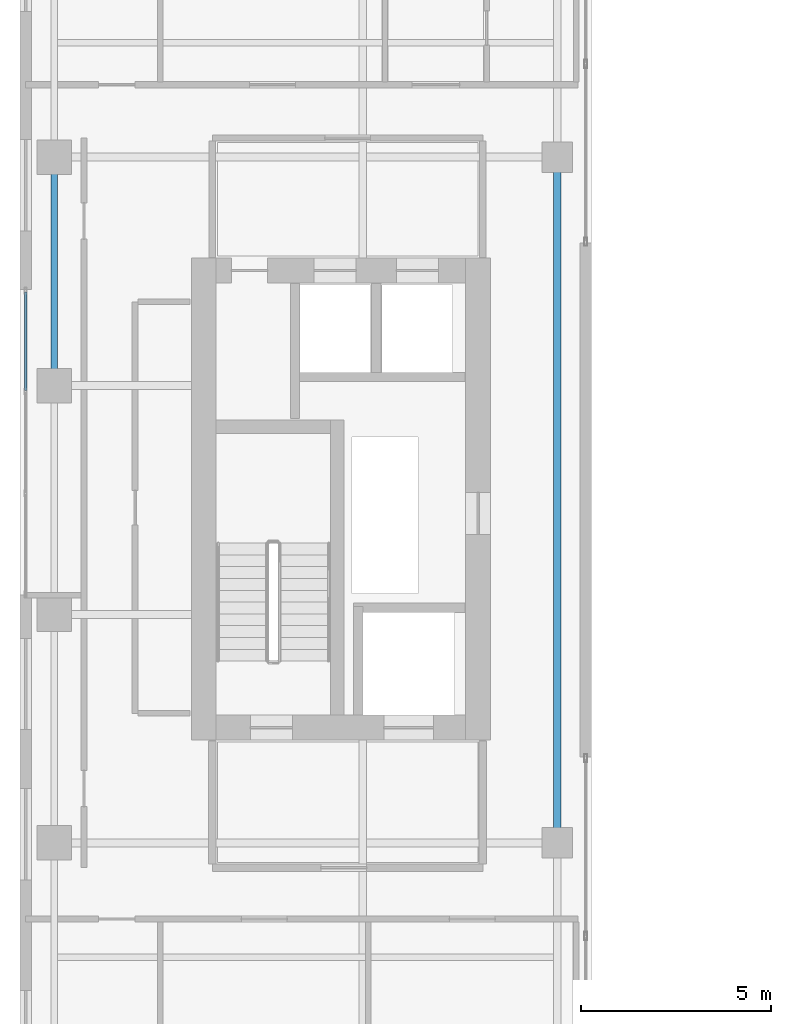
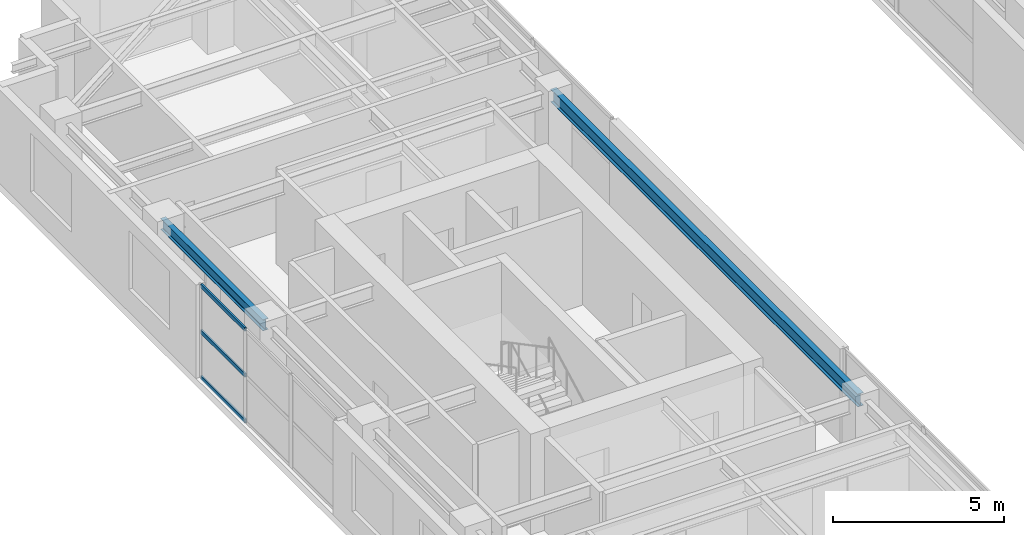
# One storey, part 6 of 22: 3 members, 2 beams, 1 element without a shape of its own.
"""IFC4 building model written with IfcOpenShell, lengths in metres."""

from ifc_helpers import new_model, si_unit, direction, frame, origin, origin_2d, place, context, subcontext, project, spatial, hollow_rectangle, i_section, extrude, source, transform, mapped, material, layer, layer_set, material_profile, profile_set, type_object, element, aggregate, save


model = new_model("IFC4")

# Units and contexts
model_context = context("Model", 3, precision=1e-05, world=origin(), true_north=direction((0.0, 1.0)))
body_context = subcontext(model_context, "Body", "Model", "MODEL_VIEW")
ifc_project = project(units=[si_unit("LENGTHUNIT", "METRE"), si_unit("AREAUNIT", "SQUARE_METRE"), si_unit("VOLUMEUNIT", "CUBIC_METRE"), si_unit("PLANEANGLEUNIT", "RADIAN"), si_unit("MASSUNIT", "GRAM", prefix="KILO")], contexts=[model_context])

# Site, building, storey
site_placement = place(None, origin())
site = spatial("IfcSite", under=ifc_project, at=site_placement, CompositionType="ELEMENT")
building_placement = place(site_placement, origin())
building = spatial("IfcBuilding", under=site, at=building_placement, Name="Khoralis Quay Care Tower", CompositionType="ELEMENT")
storey_placement = place(building_placement, frame((0.0, 0.0, 184.5)))
storey = spatial("IfcBuildingStorey", under=building, at=storey_placement, Name="L48", CompositionType="ELEMENT", Elevation=184.5)

# Beams
ifc_material_1 = material(Name="Steel S355", Category="steel")
ifc_material_profile_1 = material_profile(ifc_material_1, i_section(OverallWidth=0.179931640625, OverallDepth=0.39990234375, WebThickness=0.008544921875, FlangeThickness=0.013427734375, FilletRadius=0.02099609375, at=origin_2d()), Name="Steel S355")
ifc_profile_set_1 = profile_set([ifc_material_profile_1], Name="Steel S355")
beam_type_1 = type_object("IfcBeamType", Name="BM-IPE400", PredefinedType="SPANDREL", material=ifc_profile_set_1)
shared_shape_1 = source(origin(), body_context, "Body", "SweptSolid", [
    extrude(i_section(OverallWidth=0.179931640625, OverallDepth=0.39990234375, WebThickness=0.008544921875, FlangeThickness=0.013427734375, FilletRadius=0.02099609375, at=origin_2d()), origin(), (0.0, 0.0, 1.0), 6.0),
])
beam_1_placement = place(storey_placement, frame((3.89990234375, 24.0, 3.139892578125), z_axis=(0.0, 1.0, 0.0), x_axis=(-1.0, 0.0, 0.0)))
element("IfcBeam", 1, at=beam_1_placement, inside=storey, type_object=beam_type_1, Name="BM-TSP-L48-08", PredefinedType="SPANDREL", context=body_context, shape_type="MappedRepresentation", body=[
    mapped(shared_shape_1, transform((0.0, 0.0, 0.0), scale=1.0)),
])
ifc_material_profile_2 = material_profile(ifc_material_1, i_section(OverallWidth=0.19189453125, OverallDepth=0.462890625, WebThickness=0.010498046875, FlangeThickness=0.017578125, FilletRadius=0.014892578125, at=origin_2d()), Name="Steel S355")
ifc_profile_set_2 = profile_set([ifc_material_profile_2], Name="Steel S355")
beam_type_2 = type_object("IfcBeamType", Name="BM-W460X89", PredefinedType="BEAM", material=ifc_profile_set_2)
shared_shape_2 = source(origin(), body_context, "Body", "SweptSolid", [
    extrude(i_section(OverallWidth=0.19189453125, OverallDepth=0.462890625, WebThickness=0.010498046875, FlangeThickness=0.017578125, FilletRadius=0.014892578125, at=origin_2d()), origin(), (0.0, 0.0, 1.0), 18.0),
])
beam_2_placement = place(storey_placement, frame((17.10009765625, 12.0, 3.1083984375), z_axis=(0.0, 1.0, 0.0), x_axis=(-1.0, 0.0, 0.0)))
element("IfcBeam", 2, at=beam_2_placement, inside=storey, type_object=beam_type_2, Name="BM-TGSW-L48", PredefinedType="BEAM", context=body_context, shape_type="MappedRepresentation", body=[
    mapped(shared_shape_2, transform((0.0, 0.0, 0.0), scale=1.0)),
])

# Curtain wall, members
ifc_material_2 = material(Name="Pale anodised aluminium", Category="aluminium")
ifc_layer = layer(ifc_material_2, 0.159912109375)
ifc_layer_set = layer_set([ifc_layer], Name="Pale anodised aluminium")
curtain_wall_type = type_object("IfcCurtainWallType", Name="CW-SYS-Z3", PredefinedType="NOTDEFINED", material=ifc_layer_set)
curtain_wall_placement = place(storey_placement, origin())
curtain_wall = element("IfcCurtainWall", 3, at=curtain_wall_placement, inside=storey, type_object=curtain_wall_type, Name="L48 Unitised Curtain Wall CW-L48-P1-E7", PredefinedType="NOTDEFINED")
ifc_material_profile_3 = material_profile(ifc_material_2, hollow_rectangle(XDim=0.06005859375, YDim=0.139892578125, WallThickness=0.00390625, at=origin_2d()), Name="Pale anodised aluminium")
ifc_profile_set_3 = profile_set([ifc_material_profile_3], Name="Pale anodised aluminium")
member_type = type_object("IfcMemberType", Name="CW-TRN-140", PredefinedType="USERDEFINED", material=ifc_profile_set_3)
shared_shape_3 = source(origin(), body_context, "Body", "SweptSolid", [
    extrude(hollow_rectangle(XDim=0.06005859375, YDim=0.139892578125, WallThickness=0.00390625, at=origin_2d()), origin(), (0.0, 0.0, 1.0), 2.583251953125),
])
member_1_placement = place(storey_placement, frame((3.14990234375, 26.4599609375, 0.030029296875), z_axis=(0.0, -1.0, 0.0), x_axis=(1.0, 0.0, 0.0)))
member_1 = element("IfcMember", 4, at=member_1_placement, type_object=member_type, Name="CW3 transom 1.1", ObjectType="TRANSOM", PredefinedType="USERDEFINED", context=body_context, shape_type="MappedRepresentation", body=[
    mapped(shared_shape_3, transform((0.0, 0.0, 0.0), scale=1.0)),
])
member_2_placement = place(storey_placement, frame((3.14990234375, 26.4599609375, 1.669921875), z_axis=(0.0, -1.0, 0.0), x_axis=(1.0, 0.0, 0.0)))
member_2 = element("IfcMember", 5, at=member_2_placement, type_object=member_type, Name="CW3 transom 1.2", ObjectType="TRANSOM", PredefinedType="USERDEFINED", context=body_context, shape_type="MappedRepresentation", body=[
    mapped(shared_shape_3, transform((0.0, 0.0, 0.0), scale=1.0)),
])
member_3_placement = place(storey_placement, frame((3.14990234375, 26.4599609375, 3.31005859375), z_axis=(0.0, -1.0, 0.0), x_axis=(1.0, 0.0, 0.0)))
member_3 = element("IfcMember", 6, at=member_3_placement, type_object=member_type, Name="CW3 transom 1.3", ObjectType="TRANSOM", PredefinedType="USERDEFINED", context=body_context, shape_type="MappedRepresentation", body=[
    mapped(shared_shape_3, transform((0.0, 0.0, 0.0), scale=1.0)),
])
aggregate(curtain_wall, [member_1, member_2, member_3])

save(model, "model.ifc")
